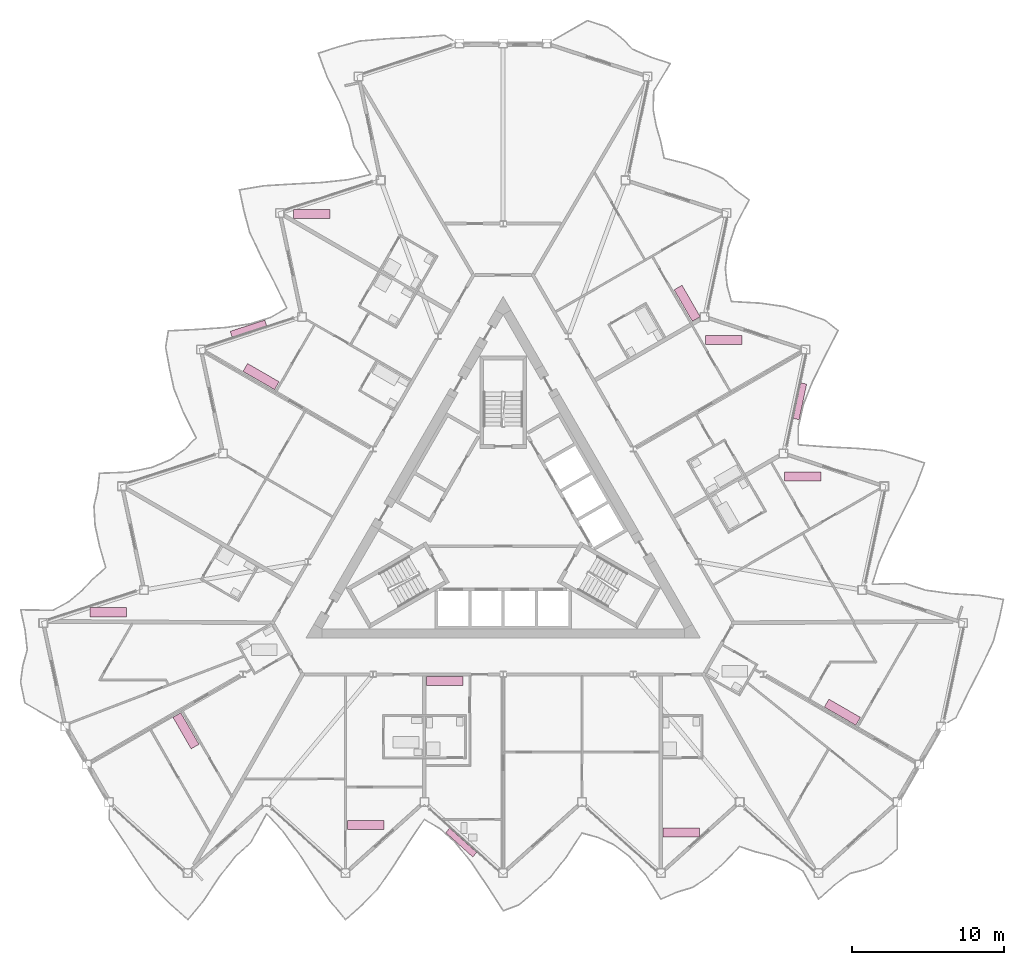
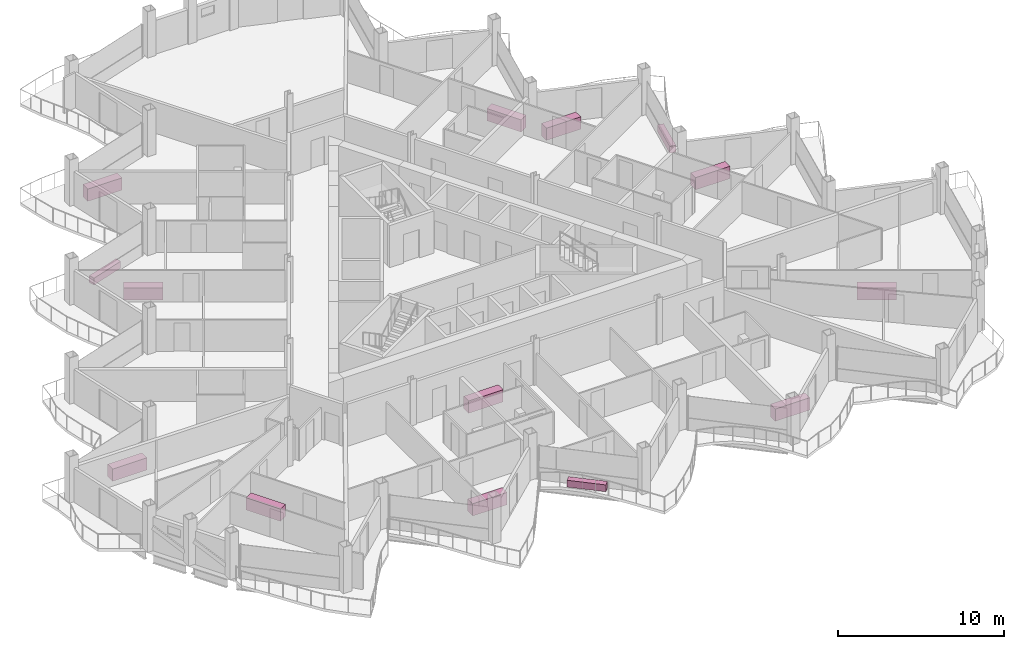
# One storey, part 26 of 26: 14 furniture elements.
"""IFC4 building model written with IfcOpenShell, lengths in metres."""

from ifc_helpers import new_model, si_unit, direction, frame, origin, origin_2d, place, context, subcontext, project, spatial, rectangle, extrude, material, type_object, element, save


model = new_model("IFC4")

# Units and contexts
model_context = context("Model", 3, precision=1e-05, world=origin(), true_north=direction((0.0, 1.0)))
body_context = subcontext(model_context, "Body", "Model", "MODEL_VIEW")
ifc_project = project(units=[si_unit("LENGTHUNIT", "METRE"), si_unit("AREAUNIT", "SQUARE_METRE"), si_unit("VOLUMEUNIT", "CUBIC_METRE"), si_unit("PLANEANGLEUNIT", "RADIAN"), si_unit("MASSUNIT", "GRAM", prefix="KILO")], contexts=[model_context])

# Site, building, storey
site_placement = place(None, origin())
site = spatial("IfcSite", under=ifc_project, at=site_placement, CompositionType="ELEMENT")
building_placement = place(site_placement, origin())
building = spatial("IfcBuilding", under=site, at=building_placement, Name="Cormorant Prow Tower", CompositionType="ELEMENT")
storey_placement = place(building_placement, frame((0.0, 0.0, 339.199951171875)))
storey = spatial("IfcBuildingStorey", under=building, at=storey_placement, Name="L76", CompositionType="ELEMENT", Elevation=339.199951171875)

# Furniture
ifc_material_1 = material(Name="Terracotta", Category="masonry")
furniture_type_1 = type_object("IfcFurnitureType", Name="Balcony planter 2400x400x500", AssemblyPlace="NOTDEFINED", PredefinedType="USERDEFINED", material=ifc_material_1)
for number, where, z_axis, x_axis, name in (
    (1, (-2.76611328125, -20.9912109375, 0.0), (0.0, 0.0, 1.0), (0.743144841944, -0.669130588071, 0.0), "Balcony planter S04"),
    (2, (19.56201171875, 8.10009765625, 0.0), (0.0, 0.0, 1.0), (0.207911739302, 0.978147590428, 0.0), "Balcony planter ENE04"),
    (3, (-16.7958984375, 12.89111328125, 0.0), (0.0, 0.0, 1.0), (-0.951056504613, -0.309017030329, 0.0), "Balcony planter WNW04"),
):
    element("IfcFurniture", number, at=place(storey_placement, frame(where, z_axis=z_axis, x_axis=x_axis)), inside=storey, type_object=furniture_type_1, Name=name, ObjectType="PLANTER", PredefinedType="USERDEFINED", context=body_context, shape_type="SweptSolid", body=[
        extrude(rectangle(XDim=2.39990234375, YDim=0.39990234375, at=origin_2d()), origin(), (0.0, 0.0, 1.0), 0.5),
    ])
ifc_material_2 = material(Name="Timber joinery", Category="wood")
furniture_type_2 = type_object("IfcFurnitureType", Name="Kitchen counter 2400x600", AssemblyPlace="NOTDEFINED", PredefinedType="NOTDEFINED", material=ifc_material_2)
for number, where, z_axis, x_axis, name in (
    (4, (-9.050048828125, -19.83203125, 0.0), (0.0, 0.0, 1.0), (1.0, 0.0, 0.0), "Kitchen counter"),
    (5, (-3.8525390625, -10.3505859375, 0.0), (0.0, 0.0, 1.0), (1.0, 0.0, 0.0), "Kitchen counter"),
    (6, (11.739990234375, -20.33203125, 0.0), (0.0, 0.0, 1.0), (1.0, 0.0, 0.0), "Kitchen counter"),
    (7, (22.36328125, -12.397705078125, 0.0), (0.0, 0.0, 1.0), (-0.866025403784, 0.5, 0.0), "Kitchen counter"),
    (8, (19.747314453125, 3.1484375, 0.0), (0.0, 0.0, 1.0), (1.0, 0.0, 0.0), "Kitchen counter"),
    (9, (14.5498046875, 12.15087890625, 0.0), (0.0, 0.0, 1.0), (1.0, 0.0, 0.0), "Kitchen counter"),
    (10, (12.133056640625, 14.5595703125, 0.0), (0.0, 0.0, 1.0), (-0.5, 0.866025403784, 0.0), "Kitchen counter"),
    (11, (-12.61474609375, 20.434814453125, 0.0), (0.0, 0.0, 1.0), (1.0, 0.0, 0.0), "Kitchen counter"),
    (12, (-15.961181640625, 9.72900390625, 0.0), (0.0, 0.0, 1.0), (-0.866025403784, 0.5, 0.0), "Kitchen counter"),
    (13, (-26.02685546875, -5.81005859375, 0.0), (0.0, 0.0, 1.0), (1.0, 0.0, 0.0), "Kitchen counter"),
    (14, (-20.912841796875, -13.627197265625, 0.0), (0.0, 0.0, 1.0), (0.5, -0.866025403784, 0.0), "Kitchen counter"),
):
    element("IfcFurniture", number, at=place(storey_placement, frame(where, z_axis=z_axis, x_axis=x_axis)), inside=storey, type_object=furniture_type_2, Name=name, PredefinedType="NOTDEFINED", context=body_context, shape_type="SweptSolid", body=[
        extrude(rectangle(XDim=2.39990234375, YDim=0.60009765625, at=origin_2d()), origin(), (0.0, 0.0, 1.0), 0.89990234375),
    ])

save(model, "model.ifc")
